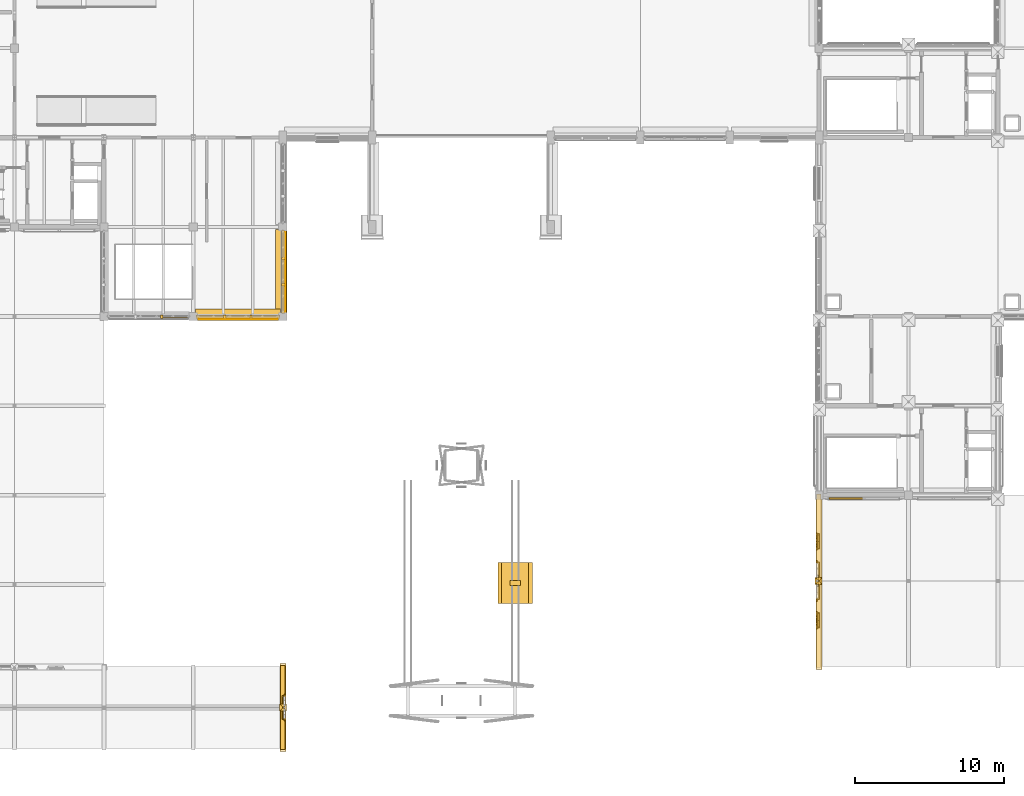
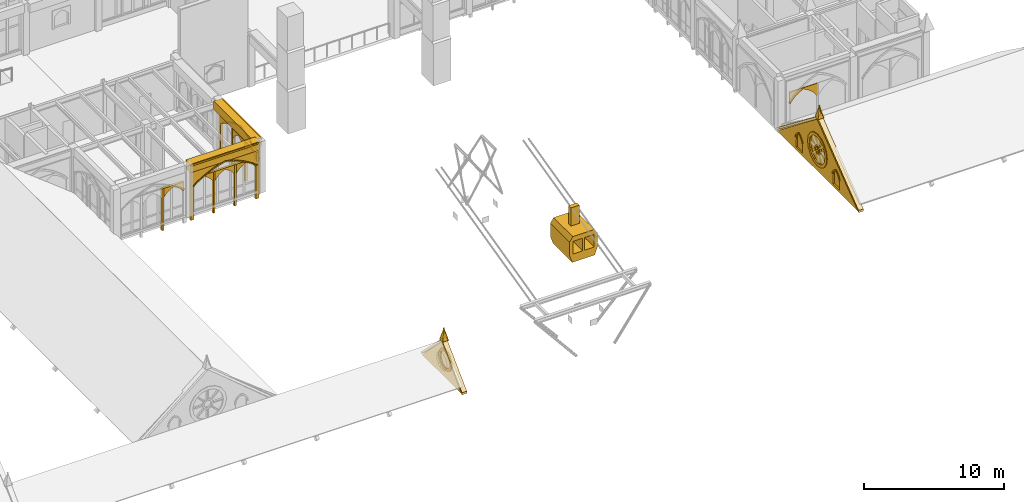
# One storey, part 96 of 108: 43 coverings.
"""IFC4 building model written with IfcOpenShell, lengths in metres."""

import ifcopenshell
import ifcopenshell.guid

model = None  # the IFC model being written
_history = None  # IfcOwnerHistory: only IFC2X3 demands one
_inside = {}  # id of a spatial element -> (the spatial element, [elements in it])
_under = {}  # id of a project, library or spatial element -> (it, [spatial elements below it])
_declared = {}  # id of a project -> (the project, [libraries it declares])
_typed = {}  # id of a type object -> (the type object, [elements of that type])
_made_of = {}  # id of a material, layer set ... -> (it, [elements and type objects made of it])


def new_model(schema):
    """Start an empty IFC model of exactly this schema.

    Asked for "IFC4X3", IfcOpenShell would pick the latest addendum, in which some entities
    have other attributes; the version numbers below select the first issue.
    IFC2X3 requires an IfcOwnerHistory on every rooted entity: one is made here for all.
    """
    global model, _history
    if schema == "IFC4X3":
        model = ifcopenshell.file(schema_version=(4, 3, 0, 0))
    else:
        model = ifcopenshell.file(schema=schema)
    _inside.clear()
    _under.clear()
    _declared.clear()
    _typed.clear()
    _made_of.clear()
    _history = None
    if model.schema == "IFC2X3":
        org = make("IfcOrganization", Name="unknown")
        user = make(
            "IfcPersonAndOrganization",
            ThePerson=make("IfcPerson", FamilyName="unknown"),
            TheOrganization=org,
        )
        app = make(
            "IfcApplication",
            ApplicationDeveloper=org,
            Version="unknown",
            ApplicationFullName="unknown",
            ApplicationIdentifier="unknown",
        )
        _history = make(
            "IfcOwnerHistory",
            OwningUser=user,
            OwningApplication=app,
            ChangeAction="ADDED",
            CreationDate=0,
        )
    return model


def make(cls, **values):
    """One entity of the class cls with the attributes given. An attribute that is None is left unset."""
    return model.create_entity(
        cls, **{name: value for name, value in values.items() if value is not None}
    )


def rooted(cls, **values):
    """An entity with a GlobalId (a new one), such as an element, a storey or a relation."""
    return make(cls, GlobalId=ifcopenshell.guid.new(), OwnerHistory=_history, **values)


def si_unit(unit_type, name, prefix=None):
    """IfcSIUnit, for example si_unit("LENGTHUNIT", "METRE", prefix="MILLI")."""
    return make("IfcSIUnit", UnitType=unit_type, Prefix=prefix, Name=name)


def assignment(units):
    """IfcUnitAssignment: the units of a project."""
    return None if units is None else make("IfcUnitAssignment", Units=units)


def point(xyz):
    """IfcCartesianPoint."""
    return None if xyz is None else make("IfcCartesianPoint", Coordinates=xyz)


def direction(xyz):
    """IfcDirection."""
    return None if xyz is None else make("IfcDirection", DirectionRatios=xyz)


def frame(location, z_axis=None, x_axis=None):
    """IfcAxis2Placement3D, a coordinate frame: its origin and axes. An axis left out is left unset."""
    return make(
        "IfcAxis2Placement3D",
        Location=point(location),
        Axis=direction(z_axis),
        RefDirection=direction(x_axis),
    )


def frame_2d(location, x_axis=None):
    """IfcAxis2Placement2D, a coordinate frame in the plane: its origin and x axis."""
    return make(
        "IfcAxis2Placement2D", Location=point(location), RefDirection=direction(x_axis)
    )


def origin():
    """The frame at (0, 0, 0) with its axes left unset."""
    return frame((0.0, 0.0, 0.0))


def origin_2d():
    """The frame at (0, 0) in the plane with its x axis left unset."""
    return frame_2d((0.0, 0.0))


def place(relative_to, where):
    """IfcLocalPlacement: puts the frame where relative to a parent placement (None: the world)."""
    return make(
        "IfcLocalPlacement", PlacementRelTo=relative_to, RelativePlacement=where
    )


def context(
    kind, dimensions, precision=None, world=None, true_north=None, identifier=None
):
    """IfcGeometricRepresentationContext, for example the 3D "Model" context."""
    return make(
        "IfcGeometricRepresentationContext",
        ContextIdentifier=identifier,
        ContextType=kind,
        CoordinateSpaceDimension=dimensions,
        Precision=precision,
        WorldCoordinateSystem=world,
        TrueNorth=true_north,
    )


def subcontext(parent, identifier, kind, view, scale=None):
    """IfcGeometricRepresentationSubContext, for example "Body" below "Model"."""
    return make(
        "IfcGeometricRepresentationSubContext",
        ContextIdentifier=identifier,
        ContextType=kind,
        ParentContext=parent,
        TargetScale=scale,
        TargetView=view,
    )


def project(units=None, contexts=None):
    """IfcProject with its units and contexts."""
    return rooted(
        "IfcProject",
        Name="project",
        RepresentationContexts=contexts,
        UnitsInContext=assignment(units),
    )


def spatial(cls, under=None, at=None, **own):
    """A site, building, storey or space (cls), placed at a placement, below another one or the project."""
    s = rooted(cls, ObjectPlacement=at, **own)
    if under is not None:
        _under.setdefault(under.id(), (under, []))[1].append(s)
    return s


def polyline(points):
    """IfcPolyline through the points."""
    return make("IfcPolyline", Points=[point(p) for p in points])


def profile(cls, at=None, kind="AREA", **sizes):
    """A parametric profile (cls). Its sizes go by their IFC names, for example OverallWidth=200.0."""
    return make(cls, ProfileType=kind, Position=at, **sizes)


def rectangle(**sizes):
    """IfcRectangleProfileDef."""
    return profile("IfcRectangleProfileDef", **sizes)


def outline(outer, holes=None, kind="AREA"):
    """IfcArbitraryClosedProfileDef: a profile drawn as a closed curve; with holes, ...WithVoids."""
    if holes is None:
        return make("IfcArbitraryClosedProfileDef", ProfileType=kind, OuterCurve=outer)
    return make(
        "IfcArbitraryProfileDefWithVoids",
        ProfileType=kind,
        OuterCurve=outer,
        InnerCurves=holes,
    )


def extrude(swept, where, along, depth):
    """IfcExtrudedAreaSolid: the profile swept, set in the frame where, extruded along a direction by depth."""
    return make(
        "IfcExtrudedAreaSolid",
        SweptArea=swept,
        Position=where,
        ExtrudedDirection=direction(along),
        Depth=depth,
    )


def shape(context_of_items, identifier, shape_type, items):
    """IfcShapeRepresentation: the items that make up one representation, for example the "Body"."""
    return make(
        "IfcShapeRepresentation",
        ContextOfItems=context_of_items,
        RepresentationIdentifier=identifier,
        RepresentationType=shape_type,
        Items=items,
    )


def material(Name=None, Category=None):
    """IfcMaterial."""
    return make("IfcMaterial", Name=Name, Category=Category)


def made_of(thing, what):
    """Note that an element or type object is made of a material, layer set ...; save() writes the relation."""
    if what is not None:
        _made_of.setdefault(what.id(), (what, []))[1].append(thing)
    return thing


def type_object(cls, material=None, **own):
    """A type object (cls), such as IfcWallType, which elements share."""
    return made_of(rooted(cls, **own), material)


def element(
    cls,
    number,
    at=None,
    inside=None,
    cuts=None,
    type_object=None,
    material=None,
    context=None,
    identifier="Body",
    shape_type=None,
    held_by="IfcProductDefinitionShape",
    body=None,
    shapes=None,
    **own,
):
    """One element of the class cls, such as IfcWall. Its Tag is "e" and its number.

    at: its placement. inside: the storey or other place that contains it. cuts: it is an
    opening in that element (IfcRelVoidsElement). A single representation is given by context,
    identifier, shape_type and body (its items); several are given by shapes. held_by: the class
    of the entity that holds the representations. save() writes the other relations.
    """
    e = rooted(cls, Tag="e%d" % number, ObjectPlacement=at, **own)
    if body is not None:
        shapes = [shape(context, identifier, shape_type, body)]
    if shapes is not None:
        e.Representation = make(held_by, Representations=shapes)
    if inside is not None:
        _inside.setdefault(inside.id(), (inside, []))[1].append(e)
    if cuts is not None:
        rooted(
            "IfcRelVoidsElement", RelatingBuildingElement=cuts, RelatedOpeningElement=e
        )
    if type_object is not None:
        _typed.setdefault(type_object.id(), (type_object, []))[1].append(e)
    return made_of(e, material)


def aggregate(whole, parts):
    """IfcRelAggregates: a whole, such as a stair, and the parts it consists of."""
    return rooted("IfcRelAggregates", RelatingObject=whole, RelatedObjects=parts)


def save(model, path):
    """Write the relations noted so far, then the file.

    IfcRelAggregates (storeys below a building ...), IfcRelContainedInSpatialStructure (elements
    in a storey), IfcRelDefinesByType, IfcRelAssociatesMaterial and IfcRelDeclares: one each for
    every whole, place, type object, material and project.
    """
    for whole, parts in _under.values():
        aggregate(whole, parts)
    for where, things in _inside.values():
        rooted(
            "IfcRelContainedInSpatialStructure",
            RelatedElements=things,
            RelatingStructure=where,
        )
    for kind, things in _typed.values():
        rooted("IfcRelDefinesByType", RelatedObjects=things, RelatingType=kind)
    for what, things in _made_of.values():
        rooted("IfcRelAssociatesMaterial", RelatedObjects=things, RelatingMaterial=what)
    for by, libraries in _declared.values():
        rooted("IfcRelDeclares", RelatingContext=by, RelatedDefinitions=libraries)
    model.write(path)


model = new_model("IFC4")

# Units and contexts
model_context = context("Model", 3, precision=1e-05, world=origin(), true_north=direction((0.0, 1.0)))
body_context = subcontext(model_context, "Body", "Model", "MODEL_VIEW")
ifc_project = project(units=[si_unit("LENGTHUNIT", "METRE"), si_unit("AREAUNIT", "SQUARE_METRE"), si_unit("VOLUMEUNIT", "CUBIC_METRE"), si_unit("PLANEANGLEUNIT", "RADIAN"), si_unit("MASSUNIT", "GRAM", prefix="KILO")], contexts=[model_context])

# Site, building, storey
site_placement = place(None, origin())
site = spatial("IfcSite", under=ifc_project, at=site_placement, CompositionType="ELEMENT")
building_placement = place(site_placement, origin())
building = spatial("IfcBuilding", under=site, at=building_placement, Name="Cumevento Cable Car Station", CompositionType="ELEMENT")
storey_placement = place(building_placement, frame((0.0, 0.0, 13.5)))
storey = spatial("IfcBuildingStorey", under=building, at=storey_placement, Name="L04", CompositionType="ELEMENT", Elevation=13.5)

# Coverings
ifc_material = material(Name="Gnaisse Facoidal Stone Ashlar 85 MPa", Category="masonry")
covering_type = type_object("IfcCoveringType", Name="Gnaisse Ashlar Cladding CV-CL01", PredefinedType="CLADDING", material=ifc_material)
covering_1_placement = place(storey_placement, frame((79.0, 33.14990234375, 3.737060546875), z_axis=(0.0, 0.0, 1.0), x_axis=(-1.0, 0.0, 0.0)))
element("IfcCovering", 1, at=covering_1_placement, inside=storey, type_object=covering_type, Name="Gothic Stone Spandrel Stringcourse sc:0702", PredefinedType="CLADDING", context=body_context, shape_type="SweptSolid", body=[
    extrude(rectangle(XDim=5.68994140625, YDim=0.659912109375, at=origin_2d()), origin(), (0.0, 0.0, 1.0), 0.7470703125),
])
covering_2_placement = place(storey_placement, frame((79.0, 32.79248046875, 4.35400390625), z_axis=(0.0, 0.0, 1.0), x_axis=(-1.0, 0.0, 0.0)))
element("IfcCovering", 2, at=covering_2_placement, inside=storey, type_object=covering_type, Name="Gothic Cornice Dripstone Lip sc:0702", PredefinedType="CLADDING", context=body_context, shape_type="SweptSolid", body=[
    extrude(rectangle(XDim=5.72998046875, YDim=0.114990234375, at=origin_2d()), origin(), (0.0, 0.0, 1.0), 0.1298828125),
])
covering_3_placement = place(storey_placement, frame((81.85009765625, 36.0, 3.737060546875), z_axis=(0.0, 0.0, 1.0), x_axis=(0.0, -1.0, 0.0)))
element("IfcCovering", 3, at=covering_3_placement, inside=storey, type_object=covering_type, Name="Gothic Stone Spandrel Stringcourse sc:0704", PredefinedType="CLADDING", context=body_context, shape_type="SweptSolid", body=[
    extrude(rectangle(XDim=5.68994140625, YDim=0.659912109375, at=origin_2d()), origin(), (0.0, 0.0, 1.0), 0.7470703125),
])
covering_4_placement = place(storey_placement, frame((82.20751953125, 36.0, 4.35400390625), z_axis=(0.0, 0.0, 1.0), x_axis=(0.0, -1.0, 0.0)))
element("IfcCovering", 4, at=covering_4_placement, inside=storey, type_object=covering_type, Name="Gothic Cornice Dripstone Lip sc:0704", PredefinedType="CLADDING", context=body_context, shape_type="SweptSolid", body=[
    extrude(rectangle(XDim=5.72998046875, YDim=0.114990234375, at=origin_2d()), origin(), (0.0, 0.0, 1.0), 0.1298828125),
])
covering_5_placement = place(storey_placement, frame((75.72509765625, 33.0, -0.52001953125), z_axis=(0.0, 0.0, 1.0), x_axis=(-1.0, 0.0, 0.0)))
element("IfcCovering", 5, at=covering_5_placement, inside=storey, type_object=covering_type, Name="Gothic Bifora Stone Colonnette cw_ogival:0144 #1", PredefinedType="CLADDING", context=body_context, shape_type="SweptSolid", body=[
    extrude(outline(polyline([(1.77001953125, -0.02001953125), (1.919921875, -0.02001953125), (1.919921875, 3.626220703125), (1.77001953125, 3.626220703125), (1.77001953125, -0.02001953125)])), frame((0.0, 0.1279296875, 0.0), z_axis=(0.0, -1.0, 0.0), x_axis=(1.0, 0.0, 0.0)), (0.0, 0.0, 1.0), 0.205078125),
])
covering_6_placement = place(storey_placement, frame((75.594970703125, 33.0, 2.3076171875), z_axis=(0.0, 0.0, 1.0), x_axis=(-1.0, 0.0, 0.0)))
element("IfcCovering", 6, at=covering_6_placement, inside=storey, type_object=covering_type, Name="Gothic Ogival Pointed-Arch Stone Spandrel cw_ogival:0144:sub:0", PredefinedType="CLADDING", context=body_context, shape_type="SweptSolid", body=[
    extrude(outline(polyline([(-0.02001953125, 0.0), (-0.02001953125, 0.79833984375), (1.68994140625, 0.79833984375), (1.68994140625, 0.0), (1.6298828125, 0.0), (1.53076171875, 0.14697265625), (1.41650390625, 0.2822265625), (1.2880859375, 0.404296875), (1.147216796875, 0.511962890625), (0.99560546875, 0.603515625), (0.8349609375, 0.678466796875), (0.67431640625, 0.603515625), (0.522705078125, 0.511962890625), (0.3818359375, 0.404296875), (0.25341796875, 0.2822265625), (0.13916015625, 0.14697265625), (0.0400390625, 0.0), (-0.02001953125, 0.0)])), frame((0.0, 0.1240234375, 0.0), z_axis=(0.0, -1.0, 0.0), x_axis=(1.0, 0.0, 0.0)), (0.0, 0.0, 1.0), 0.199951171875),
])
placement_1 = place(storey_placement, frame((81.72509765625, 33.0, -0.469970703125), z_axis=(0.0, 0.0, 1.0), x_axis=(-1.0, 0.0, 0.0)))
element("IfcCovering", 7, at=placement_1, inside=storey, type_object=covering_type, Name="Gothic Ogival Pointed-Arch Stone Spandrel cw_ogival:0145", PredefinedType="CLADDING", context=body_context, shape_type="SweptSolid", body=[
    extrude(outline(polyline([(-0.080078125, 0.0), (-0.080078125, 4.346923828125), (5.530029296875, 4.346923828125), (5.530029296875, 0.0), (5.2900390625, 0.0), (5.2900390625, 2.9755859375), (4.997314453125, 3.176025390625), (4.6953125, 3.3623046875), (4.38427734375, 3.53271484375), (4.0654296875, 3.68798828125), (3.739013671875, 3.827392578125), (3.406494140625, 3.95068359375), (3.068115234375, 4.05712890625), (2.72509765625, 4.147216796875), (2.3818359375, 4.05712890625), (2.04345703125, 3.95068359375), (1.7109375, 3.827392578125), (1.384521484375, 3.68798828125), (1.065673828125, 3.53271484375), (0.754638671875, 3.3623046875), (0.45263671875, 3.176025390625), (0.159912109375, 2.9755859375), (0.159912109375, 0.0), (-0.080078125, 0.0)])), frame((0.0, 0.139892578125, 0.0), z_axis=(0.0, -1.0, 0.0), x_axis=(1.0, 0.0, 0.0)), (0.0, 0.0, 1.0), 0.219970703125),
])
covering_8_placement = place(storey_placement, frame((81.72509765625, 33.0, 2.505615234375), z_axis=(0.0, 0.0, 1.0), x_axis=(-1.0, 0.0, 0.0)))
element("IfcCovering", 8, at=covering_8_placement, inside=storey, type_object=covering_type, Name="Gothic Pointed Archivolt Hood Moulding cw_ogival:0145", PredefinedType="CLADDING", context=body_context, shape_type="SweptSolid", body=[
    extrude(outline(polyline([(0.159912109375, 0.0), (0.45263671875, 0.200439453125), (0.754638671875, 0.386474609375), (1.065673828125, 0.55712890625), (1.384521484375, 0.71240234375), (1.7109375, 0.851806640625), (2.04345703125, 0.974853515625), (2.3818359375, 1.08154296875), (2.72509765625, 1.17138671875), (3.068115234375, 1.08154296875), (3.406494140625, 0.974853515625), (3.739013671875, 0.851806640625), (4.0654296875, 0.71240234375), (4.38427734375, 0.55712890625), (4.6953125, 0.386474609375), (4.997314453125, 0.200439453125), (5.2900390625, 0.0), (5.39990234375, 0.0), (5.098876953125, 0.223388671875), (4.786376953125, 0.4306640625), (4.463623046875, 0.621337890625), (4.131103515625, 0.794921875), (3.790283203125, 0.950927734375), (3.441650390625, 1.088623046875), (3.086181640625, 1.2080078125), (2.72509765625, 1.308837890625), (2.36376953125, 1.2080078125), (2.00830078125, 1.088623046875), (1.65966796875, 0.950927734375), (1.31884765625, 0.794921875), (0.986328125, 0.621337890625), (0.66357421875, 0.4306640625), (0.35107421875, 0.223388671875), (0.050048828125, 0.0), (0.159912109375, 0.0)])), frame((0.0, 0.181884765625, 0.0), z_axis=(0.0, -1.0, 0.0), x_axis=(1.0, 0.0, 0.0)), (0.0, 0.0, 1.0), 0.06689453125),
])
element("IfcCovering", 9, at=placement_1, inside=storey, type_object=covering_type, Name="Gothic Bifora Stone Colonnette cw_ogival:0145 #1", PredefinedType="CLADDING", context=body_context, shape_type="SweptSolid", body=[
    extrude(outline(polyline([(1.77001953125, -0.02001953125), (1.919921875, -0.02001953125), (1.919921875, 3.584716796875), (1.77001953125, 3.584716796875), (1.77001953125, -0.02001953125)])), frame((0.0, 0.1279296875, 0.0), z_axis=(0.0, -1.0, 0.0), x_axis=(1.0, 0.0, 0.0)), (0.0, 0.0, 1.0), 0.205078125),
])
element("IfcCovering", 10, at=placement_1, inside=storey, type_object=covering_type, Name="Gothic Bifora Stone Colonnette cw_ogival:0145 #2", PredefinedType="CLADDING", context=body_context, shape_type="SweptSolid", body=[
    extrude(outline(polyline([(3.530029296875, -0.02001953125), (3.679931640625, -0.02001953125), (3.679931640625, 3.584716796875), (3.530029296875, 3.584716796875), (3.530029296875, -0.02001953125)])), frame((0.0, 0.1279296875, 0.0), z_axis=(0.0, -1.0, 0.0), x_axis=(1.0, 0.0, 0.0)), (0.0, 0.0, 1.0), 0.205078125),
])
for number, where, z_axis, x_axis, name in (
    (11, (81.594970703125, 33.0, 2.32568359375), (0.0, 0.0, 1.0), (-1.0, 0.0, 0.0), "Gothic Ogival Pointed-Arch Stone Spandrel cw_ogival:0145:sub:0"),
    (12, (79.8349609375, 33.0, 2.32568359375), (0.0, 0.0, 1.0), (-1.0, 0.0, 0.0), "Gothic Ogival Pointed-Arch Stone Spandrel cw_ogival:0145:sub:1"),
    (13, (78.074951171875, 33.0, 2.32568359375), (0.0, 0.0, 1.0), (-1.0, 0.0, 0.0), "Gothic Ogival Pointed-Arch Stone Spandrel cw_ogival:0145:sub:2"),
):
    element("IfcCovering", number, at=place(storey_placement, frame(where, z_axis=z_axis, x_axis=x_axis)), inside=storey, type_object=covering_type, Name=name, PredefinedType="CLADDING", context=body_context, shape_type="SweptSolid", body=[
        extrude(outline(polyline([(-0.02001953125, 0.0), (-0.02001953125, 0.7890625), (1.68994140625, 0.7890625), (1.68994140625, 0.0), (1.6298828125, 0.0), (1.530029296875, 0.14501953125), (1.415283203125, 0.278564453125), (1.28662109375, 0.399169921875), (1.14599609375, 0.505126953125), (0.994873046875, 0.595458984375), (0.8349609375, 0.669189453125), (0.675048828125, 0.595458984375), (0.52392578125, 0.505126953125), (0.38330078125, 0.399169921875), (0.254638671875, 0.278564453125), (0.139892578125, 0.14501953125), (0.0400390625, 0.0), (-0.02001953125, 0.0)])), frame((0.0, 0.1240234375, 0.0), z_axis=(0.0, -1.0, 0.0), x_axis=(1.0, 0.0, 0.0)), (0.0, 0.0, 1.0), 0.199951171875),
    ])
placement_2 = place(storey_placement, frame((82.0, 38.72509765625, -0.3701171875), z_axis=(0.0, 0.0, 1.0), x_axis=(0.0, -1.0, 0.0)))
element("IfcCovering", 14, at=placement_2, inside=storey, type_object=covering_type, Name="Gothic Ogival Pointed-Arch Stone Spandrel cw_ogival:0147", PredefinedType="CLADDING", context=body_context, shape_type="SweptSolid", body=[
    extrude(outline(polyline([(-0.080078125, 0.0), (-0.080078125, 4.2470703125), (5.530029296875, 4.2470703125), (5.530029296875, 0.0), (5.2900390625, 0.0), (5.2900390625, 2.91162109375), (4.995849609375, 3.106201171875), (4.692626953125, 3.28662109375), (4.381103515625, 3.4521484375), (4.06201171875, 3.6025390625), (3.736083984375, 3.737548828125), (3.404052734375, 3.856689453125), (3.06689453125, 3.9599609375), (2.72509765625, 4.047119140625), (2.383056640625, 3.9599609375), (2.0458984375, 3.856689453125), (1.7138671875, 3.737548828125), (1.387939453125, 3.6025390625), (1.06884765625, 3.4521484375), (0.75732421875, 3.28662109375), (0.4541015625, 3.106201171875), (0.159912109375, 2.91162109375), (0.159912109375, 0.0), (-0.080078125, 0.0)])), frame((0.0, 0.139892578125, 0.0), z_axis=(0.0, -1.0, 0.0), x_axis=(1.0, 0.0, 0.0)), (0.0, 0.0, 1.0), 0.219970703125),
])
covering_12_placement = place(storey_placement, frame((82.0, 38.72509765625, 2.541748046875), z_axis=(0.0, 0.0, 1.0), x_axis=(0.0, -1.0, 0.0)))
element("IfcCovering", 15, at=covering_12_placement, inside=storey, type_object=covering_type, Name="Gothic Pointed Archivolt Hood Moulding cw_ogival:0147", PredefinedType="CLADDING", context=body_context, shape_type="SweptSolid", body=[
    extrude(outline(polyline([(0.159912109375, 0.0), (0.4541015625, 0.194580078125), (0.75732421875, 0.375), (1.06884765625, 0.54052734375), (1.387939453125, 0.69091796875), (1.7138671875, 0.825927734375), (2.0458984375, 0.945068359375), (2.383056640625, 1.04833984375), (2.72509765625, 1.13525390625), (3.06689453125, 1.04833984375), (3.404052734375, 0.945068359375), (3.736083984375, 0.825927734375), (4.06201171875, 0.69091796875), (4.381103515625, 0.54052734375), (4.692626953125, 0.375), (4.995849609375, 0.194580078125), (5.2900390625, 0.0), (5.39990234375, 0.0), (5.09716796875, 0.217529296875), (4.78369140625, 0.419189453125), (4.460205078125, 0.604736328125), (4.127685546875, 0.7734375), (3.787109375, 0.925048828125), (3.43896484375, 1.05908203125), (3.084716796875, 1.175048828125), (2.72509765625, 1.272705078125), (2.365234375, 1.175048828125), (2.010986328125, 1.05908203125), (1.662841796875, 0.925048828125), (1.322265625, 0.7734375), (0.98974609375, 0.604736328125), (0.666259765625, 0.419189453125), (0.352783203125, 0.217529296875), (0.050048828125, 0.0), (0.159912109375, 0.0)])), frame((0.0, 0.181884765625, 0.0), z_axis=(0.0, -1.0, 0.0), x_axis=(1.0, 0.0, 0.0)), (0.0, 0.0, 1.0), 0.06689453125),
])
element("IfcCovering", 16, at=placement_2, inside=storey, type_object=covering_type, Name="Gothic Bifora Stone Colonnette cw_ogival:0147 #1", PredefinedType="CLADDING", context=body_context, shape_type="SweptSolid", body=[
    extrude(outline(polyline([(1.77001953125, -0.02001953125), (1.919921875, -0.02001953125), (1.919921875, 3.502197265625), (1.77001953125, 3.502197265625), (1.77001953125, -0.02001953125)])), frame((0.0, 0.1279296875, 0.0), z_axis=(0.0, -1.0, 0.0), x_axis=(1.0, 0.0, 0.0)), (0.0, 0.0, 1.0), 0.205078125),
])
element("IfcCovering", 17, at=placement_2, inside=storey, type_object=covering_type, Name="Gothic Bifora Stone Colonnette cw_ogival:0147 #2", PredefinedType="CLADDING", context=body_context, shape_type="SweptSolid", body=[
    extrude(outline(polyline([(3.530029296875, -0.02001953125), (3.679931640625, -0.02001953125), (3.679931640625, 3.502197265625), (3.530029296875, 3.502197265625), (3.530029296875, -0.02001953125)])), frame((0.0, 0.1279296875, 0.0), z_axis=(0.0, -1.0, 0.0), x_axis=(1.0, 0.0, 0.0)), (0.0, 0.0, 1.0), 0.205078125),
])
for number, where, z_axis, x_axis, name in (
    (18, (82.0, 36.8349609375, 2.36181640625), (0.0, 0.0, 1.0), (0.0, -1.0, 0.0), "Gothic Ogival Pointed-Arch Stone Spandrel cw_ogival:0147:sub:1"),
    (19, (82.0, 35.074951171875, 2.36181640625), (0.0, 0.0, 1.0), (0.0, -1.0, 0.0), "Gothic Ogival Pointed-Arch Stone Spandrel cw_ogival:0147:sub:2"),
):
    element("IfcCovering", number, at=place(storey_placement, frame(where, z_axis=z_axis, x_axis=x_axis)), inside=storey, type_object=covering_type, Name=name, PredefinedType="CLADDING", context=body_context, shape_type="SweptSolid", body=[
        extrude(outline(polyline([(-0.02001953125, 0.0), (-0.02001953125, 0.7705078125), (1.68994140625, 0.7705078125), (1.68994140625, 0.0), (1.6298828125, 0.0), (1.528564453125, 0.141357421875), (1.412841796875, 0.271240234375), (1.2841796875, 0.388427734375), (1.143798828125, 0.491455078125), (0.99365234375, 0.5791015625), (0.8349609375, 0.650390625), (0.67626953125, 0.5791015625), (0.526123046875, 0.491455078125), (0.3857421875, 0.388427734375), (0.257080078125, 0.271240234375), (0.141357421875, 0.141357421875), (0.0400390625, 0.0), (-0.02001953125, 0.0)])), frame((0.0, 0.1240234375, 0.0), z_axis=(0.0, -1.0, 0.0), x_axis=(1.0, 0.0, 0.0)), (0.0, 0.0, 1.0), 0.199951171875),
    ])
covering_15_placement = place(storey_placement, frame((120.955078125, 21.0, 2.168701171875), z_axis=(0.0, 0.0, 1.0), x_axis=(-1.0, 0.0, 0.0)))
element("IfcCovering", 20, at=covering_15_placement, inside=storey, type_object=covering_type, Name="Gothic Ogival Pointed-Arch Stone Spandrel blind_ogival:0283:sub:1", PredefinedType="CLADDING", context=body_context, shape_type="SweptSolid", body=[
    extrude(outline(polyline([(-0.02001953125, 0.0), (-0.02001953125, 1.0458984375), (2.2900390625, 1.0458984375), (2.2900390625, 0.0), (2.22998046875, 0.0), (2.0927734375, 0.20068359375), (1.934814453125, 0.385498046875), (1.7578125, 0.55224609375), (1.564208984375, 0.698974609375), (1.355712890625, 0.823974609375), (1.135009765625, 0.926025390625), (0.914306640625, 0.823974609375), (0.705810546875, 0.698974609375), (0.51220703125, 0.55224609375), (0.335205078125, 0.385498046875), (0.17724609375, 0.20068359375), (0.0400390625, 0.0), (-0.02001953125, 0.0)])), frame((0.0, 0.261474609375, 0.0), z_axis=(0.0, -1.0, 0.0), x_axis=(1.0, 0.0, 0.0)), (0.0, 0.0, 1.0), 0.090087890625),
])
placement_3 = place(storey_placement, frame((82.0, 9.5, 0.0), z_axis=(0.0, 0.0, 1.0), x_axis=(0.0, -1.0, 0.0)))
element("IfcCovering", 21, at=placement_3, inside=storey, type_object=covering_type, Name="Gothic Stone Gable Tympanum wing_B_V1b_E", PredefinedType="CLADDING", context=body_context, shape_type="SweptSolid", body=[
    extrude(outline(polyline([(-0.080078125, -0.06005859375), (5.580078125, -0.06005859375), (2.75, 2.81005859375), (-0.080078125, -0.06005859375)]), holes=[polyline([(3.487060546875, 1.119384765625), (3.430908203125, 1.4013671875), (3.271240234375, 1.640625), (3.031982421875, 1.80029296875), (2.75, 1.8564453125), (2.468017578125, 1.80029296875), (2.228759765625, 1.640625), (2.069091796875, 1.4013671875), (2.012939453125, 1.119384765625), (2.069091796875, 0.837158203125), (2.228759765625, 0.59814453125), (2.468017578125, 0.438232421875), (2.75, 0.382080078125), (3.031982421875, 0.438232421875), (3.271240234375, 0.59814453125), (3.430908203125, 0.837158203125), (3.487060546875, 1.119384765625)])]), frame((0.0, 0.159912109375, 0.0), z_axis=(0.0, -1.0, 0.0), x_axis=(1.0, 0.0, 0.0)), (0.0, 0.0, 1.0), 0.300048828125),
])
element("IfcCovering", 22, at=placement_3, inside=storey, type_object=covering_type, Name="Gothic Gable Recessed Tracery Backing wing_B_V1b_E rose", PredefinedType="CLADDING", context=body_context, shape_type="SweptSolid", body=[
    extrude(outline(polyline([(3.527099609375, 1.119384765625), (3.468017578125, 1.416748046875), (3.299560546875, 1.668701171875), (3.04736328125, 1.837158203125), (2.75, 1.896484375), (2.45263671875, 1.837158203125), (2.200439453125, 1.668701171875), (2.031982421875, 1.416748046875), (1.972900390625, 1.119384765625), (2.031982421875, 0.822021484375), (2.200439453125, 0.56982421875), (2.45263671875, 0.4013671875), (2.75, 0.34228515625), (3.04736328125, 0.4013671875), (3.299560546875, 0.56982421875), (3.468017578125, 0.822021484375), (3.527099609375, 1.119384765625)])), frame((0.0, 0.050048828125, 0.0), z_axis=(0.0, -1.0, 0.0), x_axis=(1.0, 0.0, 0.0)), (0.0, 0.0, 1.0), 0.074951171875),
])
element("IfcCovering", 23, at=placement_3, inside=storey, type_object=covering_type, Name="Gothic 16-Sided Stone Rose Window Ring wing_B_V1b_E", PredefinedType="CLADDING", context=body_context, shape_type="SweptSolid", body=[
    extrude(outline(polyline([(3.6669921875, 1.119384765625), (3.59716796875, 1.47021484375), (3.3984375, 1.767822265625), (3.10107421875, 1.966552734375), (2.75, 2.036376953125), (2.39892578125, 1.966552734375), (2.1015625, 1.767822265625), (1.90283203125, 1.47021484375), (1.8330078125, 1.119384765625), (1.90283203125, 0.768310546875), (2.1015625, 0.470703125), (2.39892578125, 0.27197265625), (2.75, 0.2021484375), (3.10107421875, 0.27197265625), (3.3984375, 0.470703125), (3.59716796875, 0.768310546875), (3.6669921875, 1.119384765625)]), holes=[polyline([(3.4169921875, 1.119384765625), (3.3662109375, 1.37451171875), (3.2216796875, 1.591064453125), (3.00537109375, 1.735595703125), (2.75, 1.786376953125), (2.49462890625, 1.735595703125), (2.2783203125, 1.591064453125), (2.1337890625, 1.37451171875), (2.0830078125, 1.119384765625), (2.1337890625, 0.864013671875), (2.2783203125, 0.647705078125), (2.49462890625, 0.5029296875), (2.75, 0.4521484375), (3.00537109375, 0.5029296875), (3.2216796875, 0.647705078125), (3.3662109375, 0.864013671875), (3.4169921875, 1.119384765625)])]), frame((0.0, 0.215087890625, 0.0), z_axis=(0.0, -1.0, 0.0), x_axis=(1.0, 0.0, 0.0)), (0.0, 0.0, 1.0), 0.110107421875),
])
element("IfcCovering", 24, at=placement_3, inside=storey, type_object=covering_type, Name="Raking Gothic Stone Gable Coping wing_B_V1b_E", PredefinedType="CLADDING", context=body_context, shape_type="SweptSolid", body=[
    extrude(outline(polyline([(-0.199951171875, -0.06005859375), (2.75, 2.81005859375), (5.699951171875, -0.06005859375), (5.699951171875, 0.139892578125), (2.75, 3.050048828125), (-0.199951171875, 0.139892578125), (-0.199951171875, -0.06005859375)])), frame((0.0, 0.219970703125, 0.0), z_axis=(0.0, -1.0, 0.0), x_axis=(1.0, 0.0, 0.0)), (0.0, 0.0, 1.0), 0.39990234375),
])
for number, where, z_axis, x_axis, name in (
    (25, (81.7900390625, 6.989990234375, 2.909912109375), (-0.97486272659, 0.0, 0.222806338116), (0.0, -1.0, 0.0), "Gothic Gable Finial Spire Facet 1 wing_B_V1b_E"),
    (26, (81.7900390625, 6.510009765625, 2.909912109375), (0.0, -0.97486272659, 0.222806338116), (1.0, 0.0, 0.0), "Gothic Gable Finial Spire Facet 2 wing_B_V1b_E"),
    (27, (82.27001953125, 6.510009765625, 2.909912109375), (0.97486272659, 0.0, 0.222806338116), (0.0, 1.0, 0.0), "Gothic Gable Finial Spire Facet 3 wing_B_V1b_E"),
    (28, (82.27001953125, 6.989990234375, 2.909912109375), (0.0, 0.97486272659, 0.222806338116), (-1.0, 0.0, 0.0), "Gothic Gable Finial Spire Facet 4 wing_B_V1b_E"),
):
    element("IfcCovering", number, at=place(storey_placement, frame(where, z_axis=z_axis, x_axis=x_axis)), inside=storey, type_object=covering_type, Name=name, PredefinedType="CLADDING", context=body_context, shape_type="SweptSolid", body=[
        extrude(outline(polyline([(0.0, 0.0), (0.47998046875, 0.0), (0.239990234375, 1.0771248089437238), (0.0, 0.0)])), origin(), (0.0, 0.0, -1.0), 0.06494140625),
    ])
placement_4 = place(storey_placement, frame((118.0, 9.5, 0.0), z_axis=(0.0, 0.0, 1.0), x_axis=(0.0, 1.0, 0.0)))
element("IfcCovering", 29, at=placement_4, inside=storey, type_object=covering_type, Name="Gothic Stone Gable Tympanum wing_B_V4a_W", PredefinedType="CLADDING", context=body_context, shape_type="SweptSolid", body=[
    extrude(outline(polyline([(-0.080078125, -0.06005859375), (11.580078125, -0.06005859375), (5.75, 4.510009765625), (-0.080078125, -0.06005859375)]), holes=[polyline([(6.946044921875, 1.81640625), (6.85498046875, 2.27392578125), (6.595703125, 2.662109375), (6.207763671875, 2.92138671875), (5.75, 3.012451171875), (5.292236328125, 2.92138671875), (4.904296875, 2.662109375), (4.64501953125, 2.27392578125), (4.553955078125, 1.81640625), (4.64501953125, 1.358642578125), (4.904296875, 0.970458984375), (5.292236328125, 0.711181640625), (5.75, 0.6201171875), (6.207763671875, 0.711181640625), (6.595703125, 0.970458984375), (6.85498046875, 1.358642578125), (6.946044921875, 1.81640625)]), polyline([(2.6298828125, 0.179931640625), (3.580078125, 0.179931640625), (3.52099609375, 1.190673828125), (3.44189453125, 1.314453125), (3.344482421875, 1.424560546875), (3.2314453125, 1.51806640625), (3.10498046875, 1.593017578125), (2.978515625, 1.51806640625), (2.865478515625, 1.424560546875), (2.76806640625, 1.314453125), (2.68896484375, 1.190673828125), (2.6298828125, 0.179931640625)]), polyline([(7.919921875, 0.179931640625), (8.8701171875, 0.179931640625), (8.81103515625, 1.190673828125), (8.73193359375, 1.314453125), (8.634765625, 1.424560546875), (8.521484375, 1.51806640625), (8.39501953125, 1.593017578125), (8.2685546875, 1.51806640625), (8.1552734375, 1.424560546875), (8.05810546875, 1.314453125), (7.97900390625, 1.190673828125), (7.919921875, 0.179931640625)])]), frame((0.0, 0.159912109375, 0.0), z_axis=(0.0, -1.0, 0.0), x_axis=(1.0, 0.0, 0.0)), (0.0, 0.0, 1.0), 0.300048828125),
])
element("IfcCovering", 30, at=placement_4, inside=storey, type_object=covering_type, Name="Gothic Gable Recessed Tracery Backing wing_B_V4a_W rose", PredefinedType="CLADDING", context=body_context, shape_type="SweptSolid", body=[
    extrude(outline(polyline([(6.986083984375, 1.81640625), (6.89208984375, 2.289306640625), (6.6240234375, 2.6904296875), (6.22314453125, 2.958251953125), (5.75, 3.052490234375), (5.27685546875, 2.958251953125), (4.8759765625, 2.6904296875), (4.60791015625, 2.289306640625), (4.513916015625, 1.81640625), (4.60791015625, 1.34326171875), (4.8759765625, 0.942138671875), (5.27685546875, 0.67431640625), (5.75, 0.580078125), (6.22314453125, 0.67431640625), (6.6240234375, 0.942138671875), (6.89208984375, 1.34326171875), (6.986083984375, 1.81640625)])), frame((0.0, 0.050048828125, 0.0), z_axis=(0.0, -1.0, 0.0), x_axis=(1.0, 0.0, 0.0)), (0.0, 0.0, 1.0), 0.074951171875),
])
element("IfcCovering", 31, at=placement_4, inside=storey, type_object=covering_type, Name="Gothic Gable Recessed Tracery Backing wing_B_V4a_W lancet_0", PredefinedType="CLADDING", context=body_context, shape_type="SweptSolid", body=[
    extrude(outline(polyline([(2.60009765625, 0.14990234375), (3.610107421875, 0.14990234375), (3.545654296875, 1.19677734375), (3.4609375, 1.3251953125), (3.357421875, 1.43896484375), (3.238037109375, 1.53564453125), (3.10498046875, 1.613037109375), (2.971923828125, 1.53564453125), (2.8525390625, 1.43896484375), (2.7490234375, 1.3251953125), (2.664306640625, 1.19677734375), (2.60009765625, 0.14990234375)])), frame((0.0, 0.050048828125, 0.0), z_axis=(0.0, -1.0, 0.0), x_axis=(1.0, 0.0, 0.0)), (0.0, 0.0, 1.0), 0.074951171875),
])
element("IfcCovering", 32, at=placement_4, inside=storey, type_object=covering_type, Name="Gothic Gable Recessed Tracery Backing wing_B_V4a_W lancet_1", PredefinedType="CLADDING", context=body_context, shape_type="SweptSolid", body=[
    extrude(outline(polyline([(7.889892578125, 0.14990234375), (8.89990234375, 0.14990234375), (8.8359375, 1.19677734375), (8.7509765625, 1.3251953125), (8.647705078125, 1.43896484375), (8.528076171875, 1.53564453125), (8.39501953125, 1.613037109375), (8.261962890625, 1.53564453125), (8.142333984375, 1.43896484375), (8.0390625, 1.3251953125), (7.9541015625, 1.19677734375), (7.889892578125, 0.14990234375)])), frame((0.0, 0.050048828125, 0.0), z_axis=(0.0, -1.0, 0.0), x_axis=(1.0, 0.0, 0.0)), (0.0, 0.0, 1.0), 0.074951171875),
])
element("IfcCovering", 33, at=placement_4, inside=storey, type_object=covering_type, Name="Gothic 16-Sided Stone Rose Window Ring wing_B_V4a_W", PredefinedType="CLADDING", context=body_context, shape_type="SweptSolid", body=[
    extrude(outline(polyline([(7.126220703125, 1.81640625), (7.021240234375, 2.343017578125), (6.72314453125, 2.789306640625), (6.276611328125, 3.087646484375), (5.75, 3.1923828125), (5.223388671875, 3.087646484375), (4.77685546875, 2.789306640625), (4.478759765625, 2.343017578125), (4.373779296875, 1.81640625), (4.478759765625, 1.289794921875), (4.77685546875, 0.84326171875), (5.223388671875, 0.544921875), (5.75, 0.440185546875), (6.276611328125, 0.544921875), (6.72314453125, 0.84326171875), (7.021240234375, 1.289794921875), (7.126220703125, 1.81640625)]), holes=[polyline([(6.876220703125, 1.81640625), (6.790283203125, 2.247314453125), (6.54638671875, 2.612548828125), (6.180908203125, 2.856689453125), (5.75, 2.9423828125), (5.319091796875, 2.856689453125), (4.95361328125, 2.612548828125), (4.709716796875, 2.247314453125), (4.623779296875, 1.81640625), (4.709716796875, 1.38525390625), (4.95361328125, 1.02001953125), (5.319091796875, 0.77587890625), (5.75, 0.690185546875), (6.180908203125, 0.77587890625), (6.54638671875, 1.02001953125), (6.790283203125, 1.38525390625), (6.876220703125, 1.81640625)])]), frame((0.0, 0.215087890625, 0.0), z_axis=(0.0, -1.0, 0.0), x_axis=(1.0, 0.0, 0.0)), (0.0, 0.0, 1.0), 0.110107421875),
])
element("IfcCovering", 34, at=placement_4, inside=storey, type_object=covering_type, Name="Gothic Rose Central Stone Oculus Hub wing_B_V4a_W", PredefinedType="CLADDING", context=body_context, shape_type="SweptSolid", body=[
    extrude(outline(polyline([(6.14111328125, 1.81640625), (6.088623046875, 2.01171875), (5.945556640625, 2.155029296875), (5.75, 2.207275390625), (5.554443359375, 2.155029296875), (5.411376953125, 2.01171875), (5.35888671875, 1.81640625), (5.411376953125, 1.620849609375), (5.554443359375, 1.477783203125), (5.75, 1.42529296875), (5.945556640625, 1.477783203125), (6.088623046875, 1.620849609375), (6.14111328125, 1.81640625)]), holes=[polyline([(6.02099609375, 1.81640625), (5.984619140625, 1.951904296875), (5.885498046875, 2.051025390625), (5.75, 2.08740234375), (5.614501953125, 2.051025390625), (5.515380859375, 1.951904296875), (5.47900390625, 1.81640625), (5.515380859375, 1.680908203125), (5.614501953125, 1.58154296875), (5.75, 1.54541015625), (5.885498046875, 1.58154296875), (5.984619140625, 1.680908203125), (6.02099609375, 1.81640625)])]), frame((0.0, 0.18994140625, 0.0), z_axis=(0.0, -1.0, 0.0), x_axis=(1.0, 0.0, 0.0)), (0.0, 0.0, 1.0), 0.139892578125),
])
element("IfcCovering", 35, at=placement_4, inside=storey, type_object=covering_type, Name="Gable Lancet Stone Hood Moulding wing_B_V4a_W #1", PredefinedType="CLADDING", context=body_context, shape_type="SweptSolid", body=[
    extrude(outline(polyline([(2.6298828125, 1.05615234375), (2.68896484375, 1.190673828125), (2.76806640625, 1.314453125), (2.865478515625, 1.424560546875), (2.978515625, 1.51806640625), (3.10498046875, 1.593017578125), (3.2314453125, 1.51806640625), (3.344482421875, 1.424560546875), (3.44189453125, 1.314453125), (3.52099609375, 1.190673828125), (3.580078125, 1.05615234375), (3.669921875, 1.05615234375), (3.601806640625, 1.22021484375), (3.508544921875, 1.37158203125), (3.392822265625, 1.50634765625), (3.257080078125, 1.62109375), (3.10498046875, 1.713134765625), (2.952880859375, 1.62109375), (2.817138671875, 1.50634765625), (2.701416015625, 1.37158203125), (2.608154296875, 1.22021484375), (2.5400390625, 1.05615234375), (2.6298828125, 1.05615234375)])), frame((0.0, 0.205078125, 0.0), z_axis=(0.0, -1.0, 0.0), x_axis=(1.0, 0.0, 0.0)), (0.0, 0.0, 1.0), 0.090087890625),
])
element("IfcCovering", 36, at=placement_4, inside=storey, type_object=covering_type, Name="Gable Lancet Stone Hood Moulding wing_B_V4a_W #2", PredefinedType="CLADDING", context=body_context, shape_type="SweptSolid", body=[
    extrude(outline(polyline([(7.919921875, 1.05615234375), (7.97900390625, 1.190673828125), (8.05810546875, 1.314453125), (8.1552734375, 1.424560546875), (8.2685546875, 1.51806640625), (8.39501953125, 1.593017578125), (8.521484375, 1.51806640625), (8.634765625, 1.424560546875), (8.73193359375, 1.314453125), (8.81103515625, 1.190673828125), (8.8701171875, 1.05615234375), (8.9599609375, 1.05615234375), (8.891845703125, 1.22021484375), (8.798583984375, 1.37158203125), (8.682861328125, 1.50634765625), (8.547119140625, 1.62109375), (8.39501953125, 1.713134765625), (8.242919921875, 1.62109375), (8.107177734375, 1.50634765625), (7.991455078125, 1.37158203125), (7.898193359375, 1.22021484375), (7.830078125, 1.05615234375), (7.919921875, 1.05615234375)])), frame((0.0, 0.205078125, 0.0), z_axis=(0.0, -1.0, 0.0), x_axis=(1.0, 0.0, 0.0)), (0.0, 0.0, 1.0), 0.090087890625),
])
element("IfcCovering", 37, at=placement_4, inside=storey, type_object=covering_type, Name="Raking Gothic Stone Gable Coping wing_B_V4a_W", PredefinedType="CLADDING", context=body_context, shape_type="SweptSolid", body=[
    extrude(outline(polyline([(-0.199951171875, -0.06005859375), (5.75, 4.510009765625), (11.699951171875, -0.06005859375), (11.699951171875, 0.139892578125), (5.75, 4.75), (-0.199951171875, 0.139892578125), (-0.199951171875, -0.06005859375)])), frame((0.0, 0.219970703125, 0.0), z_axis=(0.0, -1.0, 0.0), x_axis=(1.0, 0.0, 0.0)), (0.0, 0.0, 1.0), 0.39990234375),
])
for number, where, z_axis, x_axis, name in (
    (38, (118.2099609375, 15.010009765625, 4.610107421875), (0.974851470876, 0.0, 0.222855580435), (0.0, 1.0, 0.0), "Gothic Gable Finial Spire Facet 1 wing_B_V4a_W"),
    (39, (118.2099609375, 15.489990234375, 4.610107421875), (0.0, 0.974851470876, 0.222855580435), (-1.0, 0.0, 0.0), "Gothic Gable Finial Spire Facet 2 wing_B_V4a_W"),
    (40, (117.72998046875, 15.489990234375, 4.610107421875), (-0.974851470876, 0.0, 0.222855580435), (0.0, -1.0, 0.0), "Gothic Gable Finial Spire Facet 3 wing_B_V4a_W"),
    (41, (117.72998046875, 15.010009765625, 4.610107421875), (0.0, -0.974851470876, 0.222855580435), (1.0, 0.0, 0.0), "Gothic Gable Finial Spire Facet 4 wing_B_V4a_W"),
):
    element("IfcCovering", number, at=place(storey_placement, frame(where, z_axis=z_axis, x_axis=x_axis)), inside=storey, type_object=covering_type, Name=name, PredefinedType="CLADDING", context=body_context, shape_type="SweptSolid", body=[
        extrude(outline(polyline([(0.0, 0.0), (0.47998046875, 0.0), (0.239990234375, 1.0768868067222015), (0.0, 0.0)])), origin(), (0.0, 0.0, -1.0), 0.06494140625),
    ])
covering_29_placement = place(storey_placement, frame((97.60009765625, 15.10009765625, 2.4599609375), z_axis=(0.0, 0.0, 1.0), x_axis=(1.0, 0.0, 0.0)))
element("IfcCovering", 42, at=covering_29_placement, inside=storey, type_object=covering_type, Name="Gondola Detachable Grip & Suspension Arm CAB_MID_SPAN_IN", PredefinedType="CLADDING", context=body_context, shape_type="SweptSolid", body=[
    extrude(rectangle(XDim=0.719970703125, YDim=0.340087890625, at=origin_2d()), origin(), (0.0, 0.0, 1.0), 1.679931640625),
])
covering_30_placement = place(storey_placement, frame((96.449951171875, 15.10009765625, 0.300048828125), z_axis=(0.0, 0.0, 1.0), x_axis=(1.0, 0.0, 0.0)))
element("IfcCovering", 43, at=covering_30_placement, inside=storey, type_object=covering_type, Name="Panoramic Aerial Gondola Cabin Body CAB_MID_SPAN_IN", PredefinedType="CLADDING", context=body_context, shape_type="SweptSolid", body=[
    extrude(outline(polyline([(0.219970703125, 0.0), (2.080078125, 0.0), (2.300048828125, 0.64990234375), (2.300048828125, 1.85009765625), (2.050048828125, 2.25), (0.25, 2.25), (0.0, 1.85009765625), (0.0, 0.64990234375), (0.219970703125, 0.0)]), holes=[polyline([(0.280029296875, 0.719970703125), (1.06005859375, 0.719970703125), (1.06005859375, 1.820068359375), (0.280029296875, 1.820068359375), (0.280029296875, 0.719970703125)]), polyline([(1.239990234375, 0.719970703125), (2.02001953125, 0.719970703125), (2.02001953125, 1.820068359375), (1.239990234375, 1.820068359375), (1.239990234375, 0.719970703125)])]), frame((0.0, 1.375, 0.0), z_axis=(0.0, -1.0, 0.0), x_axis=(1.0, 0.0, 0.0)), (0.0, 0.0, 1.0), 2.75),
])

save(model, "model.ifc")
